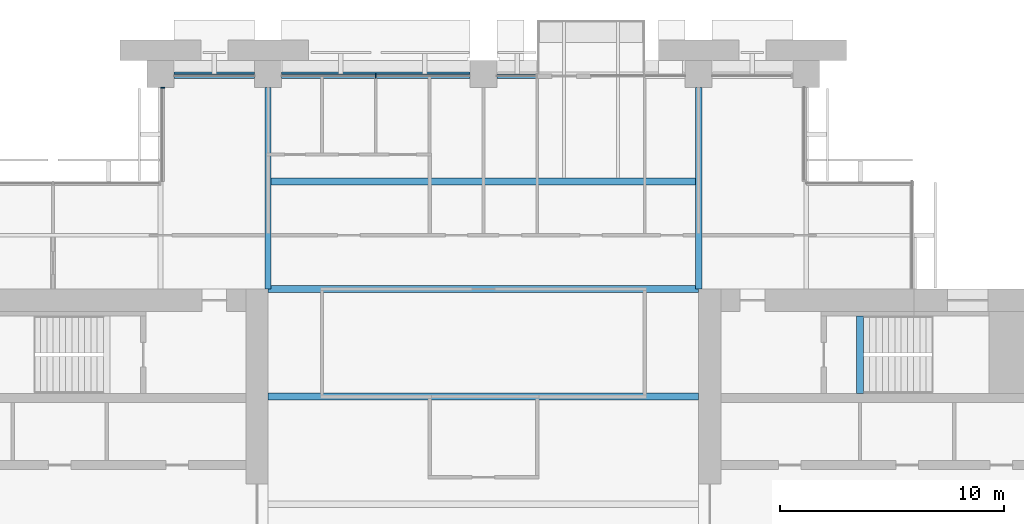
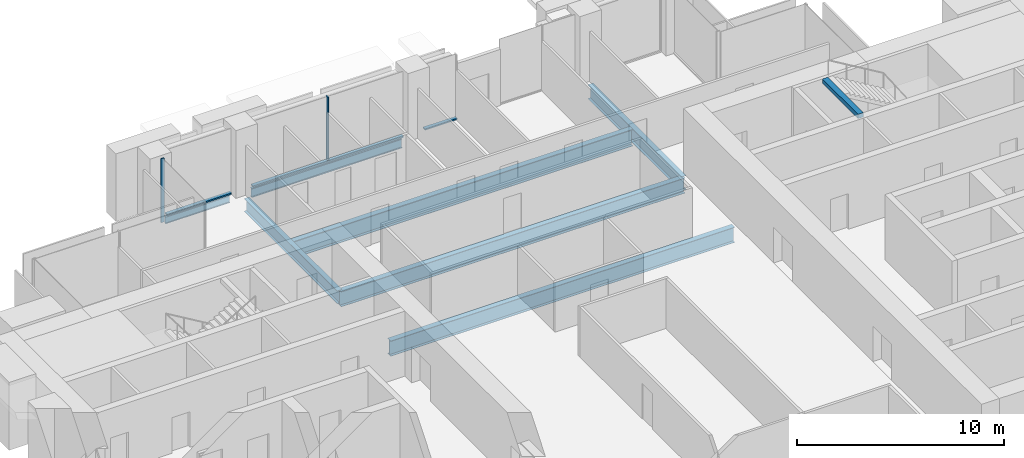
# One storey, part 6 of 15: 8 beams, 5 members, 2 elements without a shape of their own.
"""IFC4 building model written with IfcOpenShell, lengths in metres."""

from ifc_helpers import new_model, si_unit, direction, frame, origin, origin_2d, place, context, subcontext, project, spatial, rectangle, i_section, extrude, material, material_profile, profile_set, type_object, element, aggregate, save


model = new_model("IFC4")

# Units and contexts
model_context = context("Model", 3, precision=1e-05, world=origin(), true_north=direction((0.0, 1.0)))
body_context = subcontext(model_context, "Body", "Model", "MODEL_VIEW")
ifc_project = project(units=[si_unit("LENGTHUNIT", "METRE"), si_unit("AREAUNIT", "SQUARE_METRE"), si_unit("VOLUMEUNIT", "CUBIC_METRE"), si_unit("PLANEANGLEUNIT", "RADIAN"), si_unit("MASSUNIT", "GRAM", prefix="KILO")], contexts=[model_context])

# Site, building, storey
site_placement = place(None, origin())
site = spatial("IfcSite", under=ifc_project, at=site_placement, CompositionType="ELEMENT")
building_placement = place(site_placement, origin())
building = spatial("IfcBuilding", under=site, at=building_placement, Name="Baori Bourse Tower", CompositionType="ELEMENT")
storey_placement = place(building_placement, frame((0.0, 0.0, 164.10009765625)))
storey = spatial("IfcBuildingStorey", under=building, at=storey_placement, Name="L36", CompositionType="ELEMENT", Elevation=164.10009765625)

# Curtain wall, members
ifc_material_1 = material(Name="Pale anodised aluminium", Category="aluminium")
curtain_wall_type_1 = type_object("IfcCurtainWallType", Name="CW1 Curtain wall", PredefinedType="NOTDEFINED", material=ifc_material_1)
curtain_wall_1_placement = place(storey_placement, origin())
curtain_wall_1 = element("IfcCurtainWall", 1, at=curtain_wall_1_placement, inside=storey, type_object=curtain_wall_type_1, Name="Curtain wall CW1 L36 6", PredefinedType="NOTDEFINED")
ifc_material_2 = material(Name="Pale anodised aluminium", Category="aluminium")
ifc_material_profile_1 = material_profile(ifc_material_2, rectangle(XDim=0.199951171875, YDim=0.06005859375, at=origin_2d()), Name="Mullion 60x200")
ifc_profile_set_1 = profile_set([ifc_material_profile_1], Name="Pale anodised aluminium")
member_type_1 = type_object("IfcMemberType", Name="CW1 Curtain wall mullion", PredefinedType="MULLION", material=ifc_profile_set_1)
member_1_placement = place(storey_placement, frame((24.0, 47.89990234375, 0.079833984375), z_axis=(0.0, 0.0, 1.0), x_axis=(0.0, -1.0, 0.0)))
member_1 = element("IfcMember", 2, at=member_1_placement, type_object=member_type_1, Name="Curtain wall CW1 mullion", PredefinedType="MULLION", context=body_context, shape_type="SweptSolid", body=[
    extrude(rectangle(XDim=0.199951171875, YDim=0.06005859375, at=origin_2d()), origin(), (0.0, 0.0, 1.0), 3.760009765625),
])
ifc_material_3 = material(Name="Pale anodised aluminium", Category="aluminium")
ifc_material_profile_2 = material_profile(ifc_material_3, rectangle(XDim=0.199951171875, YDim=0.080078125, at=origin_2d()), Name="Transom 80x200")
ifc_profile_set_2 = profile_set([ifc_material_profile_2], Name="Pale anodised aluminium")
member_type_2 = type_object("IfcMemberType", Name="CW1 Curtain wall transom", PredefinedType="USERDEFINED", material=ifc_profile_set_2)
member_2_placement = place(storey_placement, frame((31.199951171875, 47.89990234375, 0.039794921875), z_axis=(-1.0, 0.0, 0.0), x_axis=(0.0, -1.0, 0.0)))
member_2 = element("IfcMember", 3, at=member_2_placement, type_object=member_type_2, Name="Curtain wall CW1 sill rail", ObjectType="TRANSOM", PredefinedType="USERDEFINED", context=body_context, shape_type="SweptSolid", body=[
    extrude(rectangle(XDim=0.199951171875, YDim=0.080078125, at=origin_2d()), origin(), (0.0, 0.0, 1.0), 1.800048828125),
])
member_3_placement = place(storey_placement, frame((28.199951171875, 47.89990234375, 0.039794921875), z_axis=(-1.0, 0.0, 0.0), x_axis=(0.0, -1.0, 0.0)))
member_3 = element("IfcMember", 4, at=member_3_placement, type_object=member_type_2, Name="Curtain wall CW1 sill rail", ObjectType="TRANSOM", PredefinedType="USERDEFINED", context=body_context, shape_type="SweptSolid", body=[
    extrude(rectangle(XDim=0.199951171875, YDim=0.080078125, at=origin_2d()), origin(), (0.0, 0.0, 1.0), 8.39990234375),
])
member_4_placement = place(storey_placement, frame((18.60009765625, 47.89990234375, 0.039794921875), z_axis=(-1.0, 0.0, 0.0), x_axis=(0.0, -1.0, 0.0)))
member_4 = element("IfcMember", 5, at=member_4_placement, type_object=member_type_2, Name="Curtain wall CW1 sill rail", ObjectType="TRANSOM", PredefinedType="USERDEFINED", context=body_context, shape_type="SweptSolid", body=[
    extrude(rectangle(XDim=0.199951171875, YDim=0.080078125, at=origin_2d()), origin(), (0.0, 0.0, 1.0), 3.60009765625),
])
aggregate(curtain_wall_1, [member_2, member_3, member_1, member_4])

# Curtain wall, member
ifc_material_4 = material(Name="Pale anodised aluminium", Category="aluminium")
curtain_wall_type_2 = type_object("IfcCurtainWallType", Name="CW2 Curtain wall", PredefinedType="NOTDEFINED", material=ifc_material_4)
curtain_wall_2_placement = place(storey_placement, origin())
curtain_wall_2 = element("IfcCurtainWall", 6, at=curtain_wall_2_placement, inside=storey, type_object=curtain_wall_type_2, Name="Curtain wall CW2 L36 7", PredefinedType="NOTDEFINED")
ifc_material_5 = material(Name="Pale anodised aluminium", Category="aluminium")
ifc_material_profile_3 = material_profile(ifc_material_5, rectangle(XDim=0.179931640625, YDim=0.054931640625, at=origin_2d()), Name="Mullion 55x180")
ifc_profile_set_3 = profile_set([ifc_material_profile_3], Name="Pale anodised aluminium")
member_type_3 = type_object("IfcMemberType", Name="CW2 Curtain wall mullion", PredefinedType="MULLION", material=ifc_profile_set_3)
member_5_placement = place(storey_placement, frame((14.489990234375, 47.37255859375, 0.06982421875), z_axis=(0.0, 0.0, 1.0), x_axis=(1.0, 0.0, 0.0)))
member_5 = element("IfcMember", 7, at=member_5_placement, type_object=member_type_3, Name="Curtain wall CW2 mullion", PredefinedType="MULLION", context=body_context, shape_type="SweptSolid", body=[
    extrude(rectangle(XDim=0.179931640625, YDim=0.054931640625, at=origin_2d()), origin(), (0.0, 0.0, 1.0), 3.77001953125),
])
aggregate(curtain_wall_2, [member_5])

# Beams
ifc_material_6 = material(Name="Steel A992 Gr 50", Category="steel")
ifc_material_profile_4 = material_profile(ifc_material_6, i_section(OverallWidth=0.140380859375, OverallDepth=0.40380859375, WebThickness=0.007080078125, FlangeThickness=0.01123046875, at=origin_2d()), Name="W16x31")
ifc_profile_set_4 = profile_set([ifc_material_profile_4], Name="Steel A992 Gr 50")
beam_type_1 = type_object("IfcBeamType", Name="Edge beam W16x31", PredefinedType="BEAM", material=ifc_profile_set_4)
beam_1_placement = place(storey_placement, frame((15.0, 48.0, -0.362060546875), z_axis=(1.0, 0.0, 0.0), x_axis=(0.0, 1.0, 0.0)))
element("IfcBeam", 8, at=beam_1_placement, inside=storey, type_object=beam_type_1, Name="Edge beam L36", PredefinedType="BEAM", context=body_context, shape_type="SweptSolid", body=[
    extrude(i_section(OverallWidth=0.140380859375, OverallDepth=0.40380859375, WebThickness=0.007080078125, FlangeThickness=0.01123046875, at=origin_2d()), origin(), (0.0, 0.0, 1.0), 3.60009765625),
])
ifc_material_7 = material(Name="Steel A992 Gr 50", Category="steel")
ifc_material_profile_5 = material_profile(ifc_material_7, i_section(OverallWidth=0.1650390625, OverallDepth=0.52587890625, WebThickness=0.0087890625, FlangeThickness=0.011474609375, at=origin_2d()), Name="W21x44")
ifc_profile_set_5 = profile_set([ifc_material_profile_5], Name="Steel A992 Gr 50")
beam_type_2 = type_object("IfcBeamType", Name="Edge beam W21x44", PredefinedType="BEAM", material=ifc_profile_set_5)
beam_2_placement = place(storey_placement, frame((19.800048828125, 48.0, -0.423095703125), z_axis=(1.0, 0.0, 0.0), x_axis=(0.0, 1.0, 0.0)))
element("IfcBeam", 9, at=beam_2_placement, inside=storey, type_object=beam_type_2, Name="Edge beam L36", PredefinedType="BEAM", context=body_context, shape_type="SweptSolid", body=[
    extrude(i_section(OverallWidth=0.1650390625, OverallDepth=0.52587890625, WebThickness=0.0087890625, FlangeThickness=0.011474609375, at=origin_2d()), origin(), (0.0, 0.0, 1.0), 8.39990234375),
])
ifc_material_8 = material(Name="Steel A992 Gr 50", Category="steel")
ifc_material_profile_6 = material_profile(ifc_material_8, i_section(OverallWidth=0.3046875, OverallDepth=0.904296875, WebThickness=0.01513671875, FlangeThickness=0.02001953125, at=origin_2d()), Name="W36x135")
ifc_profile_set_6 = profile_set([ifc_material_profile_6], Name="Steel A992 Gr 50")
beam_type_3 = type_object("IfcBeamType", Name="Floor beam W36x135", PredefinedType="BEAM", material=ifc_profile_set_6)
for number, where, z_axis, x_axis, name in (
    (10, (19.199951171875, 33.60009765625, -0.6123046875), (1.0, 0.0, 0.0), (0.0, 1.0, 0.0), "Floor beam L36"),
    (11, (19.199951171875, 38.39990234375, -0.6123046875), (1.0, 0.0, 0.0), (0.0, 1.0, 0.0), "Floor beam L36"),
):
    element("IfcBeam", number, at=place(storey_placement, frame(where, z_axis=z_axis, x_axis=x_axis)), inside=storey, type_object=beam_type_3, Name=name, PredefinedType="BEAM", context=body_context, shape_type="SweptSolid", body=[
        extrude(i_section(OverallWidth=0.3046875, OverallDepth=0.904296875, WebThickness=0.01513671875, FlangeThickness=0.02001953125, at=origin_2d()), origin(), (0.0, 0.0, 1.0), 19.199951171875),
    ])
ifc_material_9 = material(Name="Steel A992 Gr 50", Category="steel")
ifc_material_profile_7 = material_profile(ifc_material_9, i_section(OverallWidth=0.2998046875, OverallDepth=0.990478515625, WebThickness=0.0166015625, FlangeThickness=0.030517578125, at=origin_2d()), Name="W40x183")
ifc_profile_set_7 = profile_set([ifc_material_profile_7], Name="Steel A992 Gr 50")
beam_type_4 = type_object("IfcBeamType", Name="Floor beam W40x183", PredefinedType="BEAM", material=ifc_profile_set_7)
beam_3_placement = place(storey_placement, frame((19.333251953125, 43.199951171875, -0.655517578125), z_axis=(1.0, 0.0, 0.0), x_axis=(0.0, 1.0, 0.0)))
element("IfcBeam", 12, at=beam_3_placement, inside=storey, type_object=beam_type_4, Name="Floor beam L36", PredefinedType="BEAM", context=body_context, shape_type="SweptSolid", body=[
    extrude(i_section(OverallWidth=0.2998046875, OverallDepth=0.990478515625, WebThickness=0.0166015625, FlangeThickness=0.030517578125, at=origin_2d()), origin(), (0.0, 0.0, 1.0), 18.920654296875),
])
ifc_material_10 = material(Name="Steel A992 Gr 50", Category="steel")
ifc_material_profile_8 = material_profile(ifc_material_10, i_section(OverallWidth=0.2666015625, OverallDepth=0.7568359375, WebThickness=0.013916015625, FlangeThickness=0.019287109375, at=origin_2d()), Name="W30x108")
ifc_profile_set_8 = profile_set([ifc_material_profile_8], Name="Steel A992 Gr 50")
beam_type_5 = type_object("IfcBeamType", Name="Girder W30x108", PredefinedType="BEAM", material=ifc_profile_set_8)
beam_4_placement = place(storey_placement, frame((19.199951171875, 38.39990234375, -0.53857421875), z_axis=(0.0, 1.0, 0.0), x_axis=(-1.0, 0.0, 0.0)))
element("IfcBeam", 13, at=beam_4_placement, inside=storey, type_object=beam_type_5, Name="Girder L36", PredefinedType="BEAM", context=body_context, shape_type="SweptSolid", body=[
    extrude(i_section(OverallWidth=0.2666015625, OverallDepth=0.7568359375, WebThickness=0.013916015625, FlangeThickness=0.019287109375, at=origin_2d()), origin(), (0.0, 0.0, 1.0), 9.0),
])
ifc_material_11 = material(Name="Steel A992 Gr 50", Category="steel")
ifc_material_profile_9 = material_profile(ifc_material_11, i_section(OverallWidth=0.2919921875, OverallDepth=0.835693359375, WebThickness=0.013916015625, FlangeThickness=0.018798828125, at=origin_2d()), Name="W33x118")
ifc_profile_set_9 = profile_set([ifc_material_profile_9], Name="Steel A992 Gr 50")
beam_type_6 = type_object("IfcBeamType", Name="Girder W33x118", PredefinedType="BEAM", material=ifc_profile_set_9)
beam_5_placement = place(storey_placement, frame((38.39990234375, 38.39990234375, -0.577880859375), z_axis=(0.0, 1.0, 0.0), x_axis=(-1.0, 0.0, 0.0)))
element("IfcBeam", 14, at=beam_5_placement, inside=storey, type_object=beam_type_6, Name="Girder L36", PredefinedType="BEAM", context=body_context, shape_type="SweptSolid", body=[
    extrude(i_section(OverallWidth=0.2919921875, OverallDepth=0.835693359375, WebThickness=0.013916015625, FlangeThickness=0.018798828125, at=origin_2d()), origin(), (0.0, 0.0, 1.0), 9.0),
])
ifc_material_12 = material(Name="Concrete f'c 50 MPa", Category="concrete")
ifc_material_profile_10 = material_profile(ifc_material_12, rectangle(XDim=0.300048828125, YDim=0.25, at=origin_2d()), Name="RC 300x250")
ifc_profile_set_10 = profile_set([ifc_material_profile_10], Name="Concrete f'c 50 MPa")
beam_type_7 = type_object("IfcBeamType", Name="Stair nib beam RC 300x250", PredefinedType="BEAM", material=ifc_profile_set_10)
beam_6_placement = place(storey_placement, frame((45.60009765625, 33.75, 3.71484375), z_axis=(0.0, 1.0, 0.0), x_axis=(-1.0, 0.0, 0.0)))
element("IfcBeam", 15, at=beam_6_placement, inside=storey, type_object=beam_type_7, Name="Stair EB nib beam L37", PredefinedType="BEAM", context=body_context, shape_type="SweptSolid", body=[
    extrude(rectangle(XDim=0.300048828125, YDim=0.25, at=origin_2d()), origin(), (0.0, 0.0, 1.0), 3.449951171875),
])

save(model, "model.ifc")
